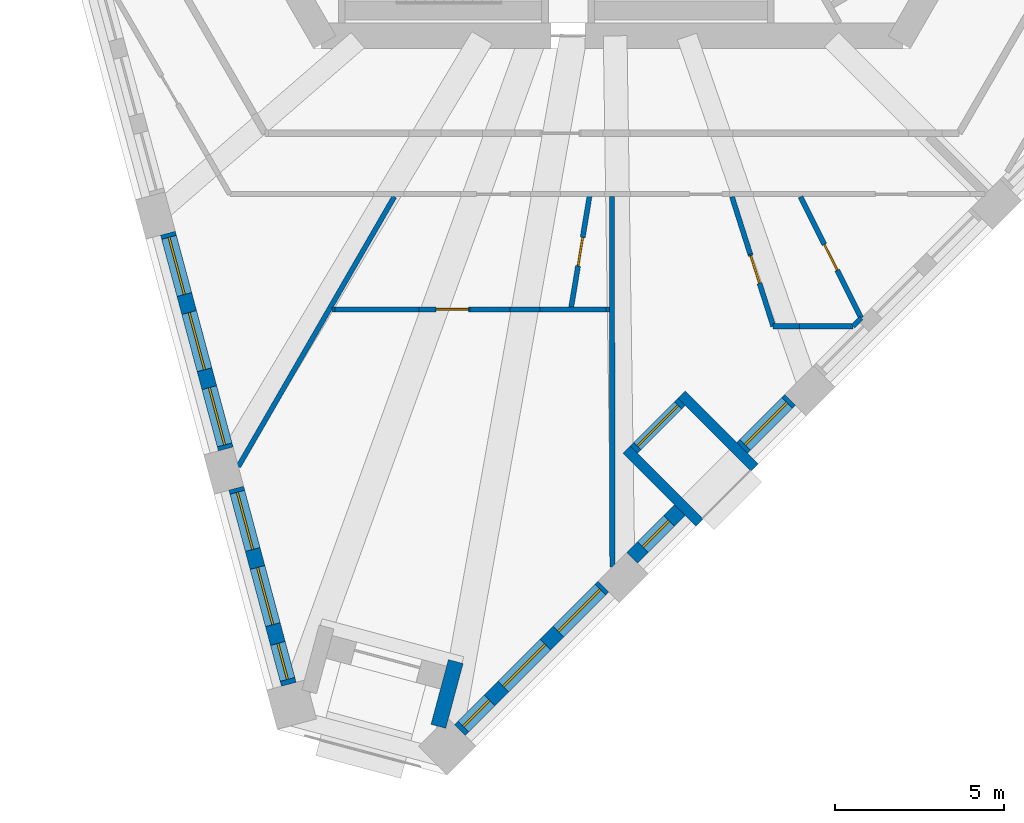
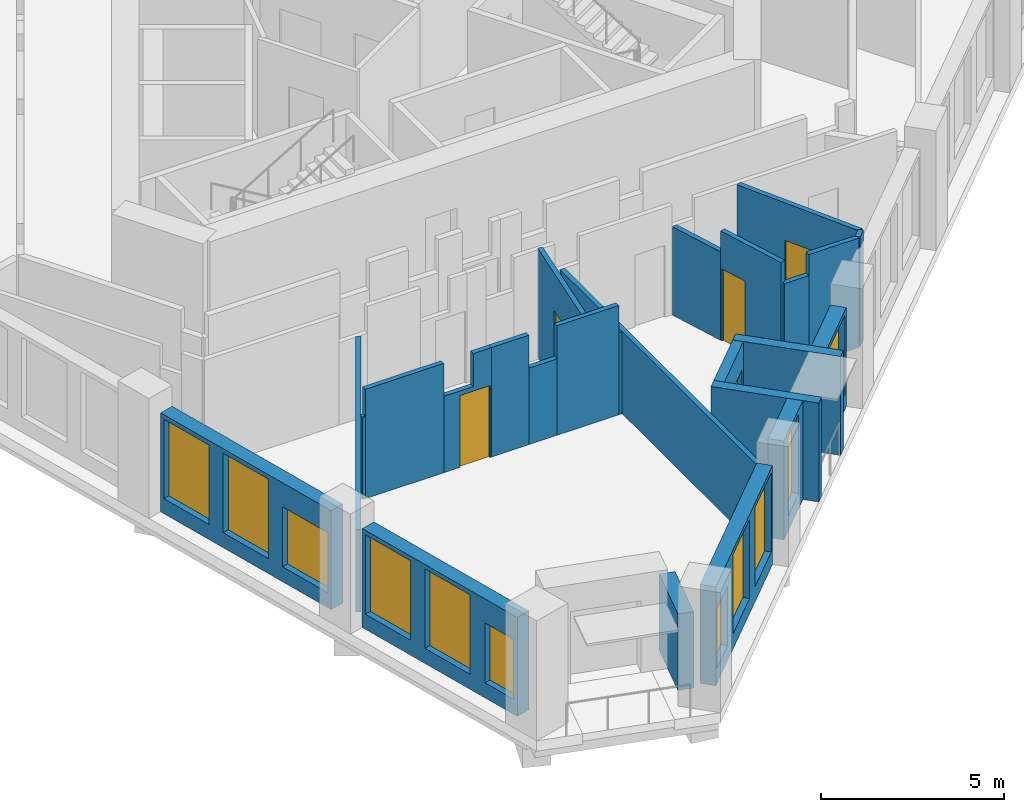
# One storey, part 2 of 13: 25 walls, 11 windows, 5 doors, 16 openings.
"""IFC4 building model written with IfcOpenShell, lengths in metres."""

from ifc_helpers import new_model, si_unit, direction, frame, frame_2d, origin, place, context, subcontext, project, spatial, polyline, rectangle, outline, extrude, material, layer, layer_set, type_object, element, fill, save


model = new_model("IFC4")

# Units and contexts
model_context = context("Model", 3, precision=1e-05, world=origin(), true_north=direction((0.0, 1.0)))
body_context = subcontext(model_context, "Body", "Model", "MODEL_VIEW")
ifc_project = project(units=[si_unit("LENGTHUNIT", "METRE"), si_unit("AREAUNIT", "SQUARE_METRE"), si_unit("VOLUMEUNIT", "CUBIC_METRE"), si_unit("PLANEANGLEUNIT", "RADIAN"), si_unit("MASSUNIT", "GRAM", prefix="KILO")], contexts=[model_context])

# Site, building, storey
site_placement = place(None, origin())
site = spatial("IfcSite", under=ifc_project, at=site_placement, CompositionType="ELEMENT")
building_placement = place(site_placement, origin())
building = spatial("IfcBuilding", under=site, at=building_placement, Name="Tramontana Tower", CompositionType="ELEMENT")
storey_placement = place(building_placement, frame((0.0, 0.0, 204.0)))
storey = spatial("IfcBuildingStorey", under=building, at=storey_placement, Name="L47", CompositionType="ELEMENT", Elevation=204.0)

# Wall, openings, windows
ifc_material_1 = material(Name="Precast concrete 60 MPa", Category="concrete")
ifc_layer_1 = layer(ifc_material_1, 0.449951171875)
ifc_layer_set_1 = layer_set([ifc_layer_1], Name="Precast concrete 60 MPa, 450 mm")
wall_type_1 = type_object("IfcWallType", Name="EW1 Stone-faced precast wall 450", PredefinedType="SOLIDWALL", material=ifc_layer_set_1)
wall_1_placement = place(storey_placement, frame((-13.11328125, -12.2041015625, 0.0), z_axis=(0.0, 0.0, 1.0), x_axis=(0.258835402268, -0.965921443251, 0.0)))
wall_1 = element("IfcWall", 1, at=wall_1_placement, inside=storey, type_object=wall_type_1, Name="External wall L47 face 0 bay 5", PredefinedType="SOLIDWALL", context=body_context, shape_type="SweptSolid", body=[
    extrude(rectangle(XDim=6.593994140625, YDim=0.449951171875, at=frame_2d((3.296875, 0.0))), origin(), (0.0, 0.0, 1.0), 3.300048828125),
])
opening_1_placement = place(wall_1_placement, frame((0.1240234375, 0.0, 0.5)))
opening_1 = element("IfcOpeningElement", 2, at=opening_1_placement, cuts=wall_1, Name="Opening M2", PredefinedType="OPENING", context=body_context, shape_type="SweptSolid", body=[
    extrude(rectangle(XDim=1.75, YDim=2.64990234375, at=frame_2d((0.875, 1.324951171875))), frame((0.0, 0.23486328125, 0.0), z_axis=(0.0, -1.0, 0.0), x_axis=(1.0, 0.0, 0.0)), (0.0, 0.0, 1.0), 0.469970703125),
])
opening_2_placement = place(wall_1_placement, frame((2.422119140625, 0.0, 0.5)))
opening_2 = element("IfcOpeningElement", 3, at=opening_2_placement, cuts=wall_1, Name="Opening M2", PredefinedType="OPENING", context=body_context, shape_type="SweptSolid", body=[
    extrude(rectangle(XDim=1.75, YDim=2.64990234375, at=frame_2d((0.875, 1.324951171875))), frame((0.0, 0.23486328125, 0.0), z_axis=(0.0, -1.0, 0.0), x_axis=(1.0, 0.0, 0.0)), (0.0, 0.0, 1.0), 0.469970703125),
])
opening_3_placement = place(wall_1_placement, frame((4.72021484375, 0.0, 0.5)))
opening_3 = element("IfcOpeningElement", 4, at=opening_3_placement, cuts=wall_1, Name="Opening M2L", PredefinedType="OPENING", context=body_context, shape_type="SweptSolid", body=[
    extrude(rectangle(XDim=1.75, YDim=2.0, at=frame_2d((0.875, 1.0))), frame((0.0, 0.23486328125, 0.0), z_axis=(0.0, -1.0, 0.0), x_axis=(1.0, 0.0, 0.0)), (0.0, 0.0, 1.0), 0.469970703125),
])
ifc_material_2 = material(Name="Aluminum frame, double glazing unit", Category="aluminium")
window_type_1 = type_object("IfcWindowType", Name="M2 Window 1.75 x 2.65", PartitioningType="SINGLE_PANEL", PredefinedType="WINDOW", material=ifc_material_2)
window_1_placement = place(opening_1_placement, origin())
window_1 = element("IfcWindow", 5, at=window_1_placement, inside=storey, type_object=window_type_1, Name="Window M2 L47 face 0 module 13", OverallHeight=2.64990234375, OverallWidth=1.75, PartitioningType="SINGLE_PANEL", PredefinedType="WINDOW", context=body_context, shape_type="SweptSolid", body=[
    extrude(rectangle(XDim=1.75, YDim=2.64990234375, at=frame_2d((0.875, 1.324951171875))), frame((0.0, 0.030029296875, 0.0), z_axis=(0.0, -1.0, 0.0), x_axis=(1.0, 0.0, 0.0)), (0.0, 0.0, 1.0), 0.06005859375),
])
fill(opening_1, window_1)
window_2_placement = place(opening_2_placement, origin())
window_2 = element("IfcWindow", 6, at=window_2_placement, inside=storey, type_object=window_type_1, Name="Window M2 L47 face 0 module 14", OverallHeight=2.64990234375, OverallWidth=1.75, PartitioningType="SINGLE_PANEL", PredefinedType="WINDOW", context=body_context, shape_type="SweptSolid", body=[
    extrude(rectangle(XDim=1.75, YDim=2.64990234375, at=frame_2d((0.875, 1.324951171875))), frame((0.0, 0.030029296875, 0.0), z_axis=(0.0, -1.0, 0.0), x_axis=(1.0, 0.0, 0.0)), (0.0, 0.0, 1.0), 0.06005859375),
])
fill(opening_2, window_2)
ifc_material_3 = material(Name="Aluminum frame, double glazing unit", Category="aluminium")
window_type_2 = type_object("IfcWindowType", Name="M2L Window 1.75 x 2", PartitioningType="SINGLE_PANEL", PredefinedType="WINDOW", material=ifc_material_3)
window_3_placement = place(opening_3_placement, origin())
window_3 = element("IfcWindow", 7, at=window_3_placement, inside=storey, type_object=window_type_2, Name="Window M2L L47 face 0 module 15", OverallHeight=2.0, OverallWidth=1.75, PartitioningType="SINGLE_PANEL", PredefinedType="WINDOW", context=body_context, shape_type="SweptSolid", body=[
    extrude(rectangle(XDim=1.75, YDim=2.0, at=frame_2d((0.875, 1.0))), frame((0.0, 0.030029296875, 0.0), z_axis=(0.0, -1.0, 0.0), x_axis=(1.0, 0.0, 0.0)), (0.0, 0.0, 1.0), 0.06005859375),
])
fill(opening_3, window_3)

wall_2_placement = place(storey_placement, frame((-11.095947265625, -19.732666015625, 0.0), z_axis=(0.0, 0.0, 1.0), x_axis=(0.258831089404, -0.965922598948, 0.0)))
wall_2 = element("IfcWall", 8, at=wall_2_placement, inside=storey, type_object=wall_type_1, Name="External wall L47 face 0 bay 6", PredefinedType="SOLIDWALL", context=body_context, shape_type="SweptSolid", body=[
    extrude(rectangle(XDim=5.994384765625, YDim=0.449951171875, at=frame_2d((2.9970703125, 0.0))), origin(), (0.0, 0.0, 1.0), 3.300048828125),
])
opening_4_placement = place(wall_2_placement, frame((0.1240234375, 0.0, 0.5)))
opening_4 = element("IfcOpeningElement", 9, at=opening_4_placement, cuts=wall_2, Name="Opening M2", PredefinedType="OPENING", context=body_context, shape_type="SweptSolid", body=[
    extrude(rectangle(XDim=1.75, YDim=2.64990234375, at=frame_2d((0.875, 1.324951171875))), frame((0.0, 0.23486328125, 0.0), z_axis=(0.0, -1.0, 0.0), x_axis=(1.0, 0.0, 0.0)), (0.0, 0.0, 1.0), 0.469970703125),
])
opening_5_placement = place(wall_2_placement, frame((2.422119140625, 0.0, 0.5)))
opening_5 = element("IfcOpeningElement", 10, at=opening_5_placement, cuts=wall_2, Name="Opening M2", PredefinedType="OPENING", context=body_context, shape_type="SweptSolid", body=[
    extrude(rectangle(XDim=1.75, YDim=2.64990234375, at=frame_2d((0.875, 1.324951171875))), frame((0.0, 0.23486328125, 0.0), z_axis=(0.0, -1.0, 0.0), x_axis=(1.0, 0.0, 0.0)), (0.0, 0.0, 1.0), 0.469970703125),
])
opening_6_placement = place(wall_2_placement, frame((4.7451171875, 0.0, 0.5)))
opening_6 = element("IfcOpeningElement", 11, at=opening_6_placement, cuts=wall_2, Name="Opening N2L", PredefinedType="OPENING", context=body_context, shape_type="SweptSolid", body=[
    extrude(rectangle(XDim=1.10009765625, YDim=2.0, at=frame_2d((0.550048828125, 1.0))), frame((0.0, 0.23486328125, 0.0), z_axis=(0.0, -1.0, 0.0), x_axis=(1.0, 0.0, 0.0)), (0.0, 0.0, 1.0), 0.469970703125),
])
window_4_placement = place(opening_4_placement, origin())
window_4 = element("IfcWindow", 12, at=window_4_placement, inside=storey, type_object=window_type_1, Name="Window M2 L47 face 0 module 16", OverallHeight=2.64990234375, OverallWidth=1.75, PartitioningType="SINGLE_PANEL", PredefinedType="WINDOW", context=body_context, shape_type="SweptSolid", body=[
    extrude(rectangle(XDim=1.75, YDim=2.64990234375, at=frame_2d((0.875, 1.324951171875))), frame((0.0, 0.030029296875, 0.0), z_axis=(0.0, -1.0, 0.0), x_axis=(1.0, 0.0, 0.0)), (0.0, 0.0, 1.0), 0.06005859375),
])
fill(opening_4, window_4)
window_5_placement = place(opening_5_placement, origin())
window_5 = element("IfcWindow", 13, at=window_5_placement, inside=storey, type_object=window_type_1, Name="Window M2 L47 face 0 module 17", OverallHeight=2.64990234375, OverallWidth=1.75, PartitioningType="SINGLE_PANEL", PredefinedType="WINDOW", context=body_context, shape_type="SweptSolid", body=[
    extrude(rectangle(XDim=1.75, YDim=2.64990234375, at=frame_2d((0.875, 1.324951171875))), frame((0.0, 0.030029296875, 0.0), z_axis=(0.0, -1.0, 0.0), x_axis=(1.0, 0.0, 0.0)), (0.0, 0.0, 1.0), 0.06005859375),
])
fill(opening_5, window_5)
ifc_material_4 = material(Name="Aluminum frame, double glazing unit", Category="aluminium")
window_type_3 = type_object("IfcWindowType", Name="N2L Window 1.1 x 2", PartitioningType="SINGLE_PANEL", PredefinedType="WINDOW", material=ifc_material_4)
window_6_placement = place(opening_6_placement, origin())
window_6 = element("IfcWindow", 14, at=window_6_placement, inside=storey, type_object=window_type_3, Name="Window N2L L47 face 0 module 18", OverallHeight=2.0, OverallWidth=1.10009765625, PartitioningType="SINGLE_PANEL", PredefinedType="WINDOW", context=body_context, shape_type="SweptSolid", body=[
    extrude(rectangle(XDim=1.10009765625, YDim=2.0, at=frame_2d((0.550048828125, 1.0))), frame((0.0, 0.030029296875, 0.0), z_axis=(0.0, -1.0, 0.0), x_axis=(1.0, 0.0, 0.0)), (0.0, 0.0, 1.0), 0.06005859375),
])
fill(opening_6, window_6)

wall_3_placement = place(storey_placement, frame((-4.49560546875, -26.87548828125, 0.0), z_axis=(0.0, 0.0, 1.0), x_axis=(0.707106781187, 0.707106781187, 0.0)))
wall_3 = element("IfcWall", 15, at=wall_3_placement, inside=storey, type_object=wall_type_1, Name="External wall L47 face 1 bay 1", PredefinedType="SOLIDWALL", context=body_context, shape_type="SweptSolid", body=[
    extrude(rectangle(XDim=5.994140625, YDim=0.449951171875, at=frame_2d((2.9970703125, 0.0))), origin(), (0.0, 0.0, 1.0), 3.300048828125),
])
opening_7_placement = place(wall_3_placement, frame((0.14892578125, 0.0, 0.5)))
opening_7 = element("IfcOpeningElement", 16, at=opening_7_placement, cuts=wall_3, Name="Opening N2L", PredefinedType="OPENING", context=body_context, shape_type="SweptSolid", body=[
    extrude(rectangle(XDim=1.10009765625, YDim=2.0, at=frame_2d((0.550048828125, 1.0))), frame((0.0, 0.23486328125, 0.0), z_axis=(0.0, -1.0, 0.0), x_axis=(1.0, 0.0, 0.0)), (0.0, 0.0, 1.0), 0.469970703125),
])
opening_8_placement = place(wall_3_placement, frame((1.822021484375, 0.0, 0.5)))
opening_8 = element("IfcOpeningElement", 17, at=opening_8_placement, cuts=wall_3, Name="Opening M2", PredefinedType="OPENING", context=body_context, shape_type="SweptSolid", body=[
    extrude(rectangle(XDim=1.75, YDim=2.64990234375, at=frame_2d((0.875, 1.324951171875))), frame((0.0, 0.23486328125, 0.0), z_axis=(0.0, -1.0, 0.0), x_axis=(1.0, 0.0, 0.0)), (0.0, 0.0, 1.0), 0.469970703125),
])
opening_9_placement = place(wall_3_placement, frame((4.1201171875, 0.0, 0.5)))
opening_9 = element("IfcOpeningElement", 18, at=opening_9_placement, cuts=wall_3, Name="Opening M2", PredefinedType="OPENING", context=body_context, shape_type="SweptSolid", body=[
    extrude(rectangle(XDim=1.75, YDim=2.64990234375, at=frame_2d((0.875, 1.324951171875))), frame((0.0, 0.23486328125, 0.0), z_axis=(0.0, -1.0, 0.0), x_axis=(1.0, 0.0, 0.0)), (0.0, 0.0, 1.0), 0.469970703125),
])
window_7_placement = place(opening_8_placement, origin())
window_7 = element("IfcWindow", 19, at=window_7_placement, inside=storey, type_object=window_type_1, Name="Window M2 L47 face 1 module 2", OverallHeight=2.64990234375, OverallWidth=1.75, PartitioningType="SINGLE_PANEL", PredefinedType="WINDOW", context=body_context, shape_type="SweptSolid", body=[
    extrude(rectangle(XDim=1.75, YDim=2.64990234375, at=frame_2d((0.875, 1.324951171875))), frame((0.0, 0.030029296875, 0.0), z_axis=(0.0, -1.0, 0.0), x_axis=(1.0, 0.0, 0.0)), (0.0, 0.0, 1.0), 0.06005859375),
])
fill(opening_8, window_7)
window_8_placement = place(opening_9_placement, origin())
window_8 = element("IfcWindow", 20, at=window_8_placement, inside=storey, type_object=window_type_1, Name="Window M2 L47 face 1 module 3", OverallHeight=2.64990234375, OverallWidth=1.75, PartitioningType="SINGLE_PANEL", PredefinedType="WINDOW", context=body_context, shape_type="SweptSolid", body=[
    extrude(rectangle(XDim=1.75, YDim=2.64990234375, at=frame_2d((0.875, 1.324951171875))), frame((0.0, 0.030029296875, 0.0), z_axis=(0.0, -1.0, 0.0), x_axis=(1.0, 0.0, 0.0)), (0.0, 0.0, 1.0), 0.06005859375),
])
fill(opening_9, window_8)
window_9_placement = place(opening_7_placement, origin())
window_9 = element("IfcWindow", 21, at=window_9_placement, inside=storey, type_object=window_type_3, Name="Window N2L L47 face 1 module 1", OverallHeight=2.0, OverallWidth=1.10009765625, PartitioningType="SINGLE_PANEL", PredefinedType="WINDOW", context=body_context, shape_type="SweptSolid", body=[
    extrude(rectangle(XDim=1.10009765625, YDim=2.0, at=frame_2d((0.550048828125, 1.0))), frame((0.0, 0.030029296875, 0.0), z_axis=(0.0, -1.0, 0.0), x_axis=(1.0, 0.0, 0.0)), (0.0, 0.0, 1.0), 0.06005859375),
])
fill(opening_7, window_9)

# Wall, opening, window
wall_4_placement = place(storey_placement, frame((0.591552734375, -21.788330078125, 0.0), z_axis=(0.0, 0.0, 1.0), x_axis=(0.707106781187, 0.707106781187, 0.0)))
wall_4 = element("IfcWall", 22, at=wall_4_placement, inside=storey, type_object=wall_type_1, Name="External wall L47 face 1 bay 2", PredefinedType="SOLIDWALL", context=body_context, shape_type="SweptSolid", body=[
    extrude(rectangle(XDim=1.998046875, YDim=0.449951171875, at=frame_2d((0.9990234375, 0.0))), origin(), (0.0, 0.0, 1.0), 3.300048828125),
])
opening_10_placement = place(wall_4_placement, frame((0.448974609375, 0.0, 0.5)))
opening_10 = element("IfcOpeningElement", 23, at=opening_10_placement, cuts=wall_4, Name="Opening N2", PredefinedType="OPENING", context=body_context, shape_type="SweptSolid", body=[
    extrude(rectangle(XDim=1.10009765625, YDim=2.64990234375, at=frame_2d((0.550048828125, 1.324951171875))), frame((0.0, 0.23486328125, 0.0), z_axis=(0.0, -1.0, 0.0), x_axis=(1.0, 0.0, 0.0)), (0.0, 0.0, 1.0), 0.469970703125),
])
ifc_material_5 = material(Name="Aluminum frame, double glazing unit", Category="aluminium")
window_type_4 = type_object("IfcWindowType", Name="N2 Window 1.1 x 2.65", PartitioningType="SINGLE_PANEL", PredefinedType="WINDOW", material=ifc_material_5)
window_10_placement = place(opening_10_placement, origin())
window_10 = element("IfcWindow", 24, at=window_10_placement, inside=storey, type_object=window_type_4, Name="Window N2 L47 face 1 module 4", OverallHeight=2.64990234375, OverallWidth=1.10009765625, PartitioningType="SINGLE_PANEL", PredefinedType="WINDOW", context=body_context, shape_type="SweptSolid", body=[
    extrude(rectangle(XDim=1.10009765625, YDim=2.64990234375, at=frame_2d((0.550048828125, 1.324951171875))), frame((0.0, 0.030029296875, 0.0), z_axis=(0.0, -1.0, 0.0), x_axis=(1.0, 0.0, 0.0)), (0.0, 0.0, 1.0), 0.06005859375),
])
fill(opening_10, window_10)

wall_5_placement = place(storey_placement, frame((3.841552734375, -18.538330078125, 0.0), z_axis=(0.0, 0.0, 1.0), x_axis=(0.707106781187, 0.707106781187, 0.0)))
wall_5 = element("IfcWall", 25, at=wall_5_placement, inside=storey, type_object=wall_type_1, Name="External wall L47 face 1 bay 2", PredefinedType="SOLIDWALL", context=body_context, shape_type="SweptSolid", body=[
    extrude(rectangle(XDim=1.998046875, YDim=0.449951171875, at=frame_2d((0.9990234375, 0.0))), origin(), (0.0, 0.0, 1.0), 3.300048828125),
])
opening_11_placement = place(wall_5_placement, frame((0.1240234375, 0.0, 0.5)))
opening_11 = element("IfcOpeningElement", 26, at=opening_11_placement, cuts=wall_5, Name="Opening M2", PredefinedType="OPENING", context=body_context, shape_type="SweptSolid", body=[
    extrude(rectangle(XDim=1.75, YDim=2.64990234375, at=frame_2d((0.875, 1.324951171875))), frame((0.0, 0.23486328125, 0.0), z_axis=(0.0, -1.0, 0.0), x_axis=(1.0, 0.0, 0.0)), (0.0, 0.0, 1.0), 0.469970703125),
])
window_11_placement = place(opening_11_placement, origin())
window_11 = element("IfcWindow", 27, at=window_11_placement, inside=storey, type_object=window_type_1, Name="Window M2 L47 face 1 module 6", OverallHeight=2.64990234375, OverallWidth=1.75, PartitioningType="SINGLE_PANEL", PredefinedType="WINDOW", context=body_context, shape_type="SweptSolid", body=[
    extrude(rectangle(XDim=1.75, YDim=2.64990234375, at=frame_2d((0.875, 1.324951171875))), frame((0.0, 0.030029296875, 0.0), z_axis=(0.0, -1.0, 0.0), x_axis=(1.0, 0.0, 0.0)), (0.0, 0.0, 1.0), 0.06005859375),
])
fill(opening_11, window_11)

# Wall
wall_6_placement = place(storey_placement, frame((-5.126708984375, -26.76416015625, 0.0), z_axis=(0.0, 0.0, 1.0), x_axis=(0.258814190615, 0.965927127032, 0.0)))
element("IfcWall", 28, at=wall_6_placement, inside=storey, type_object=wall_type_1, Name="Corner loggia side wall L47 K51l", PredefinedType="SOLIDWALL", context=body_context, shape_type="SweptSolid", body=[
    extrude(rectangle(XDim=1.97900390625, YDim=0.449951171875, at=frame_2d((0.989501953125, 0.0))), origin(), (0.0, 0.0, 1.0), 2.550048828125),
])

# Wall, opening, door
ifc_material_6 = material(Name="Precast concrete 60 MPa", Category="concrete")
ifc_layer_2 = layer(ifc_material_6, 0.300048828125)
ifc_layer_set_2 = layer_set([ifc_layer_2], Name="LW1 Stone-faced loggia wall 300")
wall_type_2 = type_object("IfcWallType", Name="LW1 Stone-faced loggia wall 300", PredefinedType="SOLIDWALL", material=ifc_layer_set_2)
wall_7_placement = place(storey_placement, frame((0.643310546875, -18.590087890625, 0.0), z_axis=(0.0, 0.0, 1.0), x_axis=(0.707106781187, 0.707106781187, 0.0)))
wall_7 = element("IfcWall", 29, at=wall_7_placement, inside=storey, type_object=wall_type_2, Name="Loggia wall L47 G5S1.4", PredefinedType="SOLIDWALL", context=body_context, shape_type="SweptSolid", body=[
    extrude(rectangle(XDim=1.998046875, YDim=0.300048828125, at=frame_2d((0.9990234375, 0.0))), origin(), (0.0, 0.0, 1.0), 3.300048828125),
])
opening_12_placement = place(wall_7_placement, frame((0.14892578125, 0.0, 0.0)))
opening_12 = element("IfcOpeningElement", 30, at=opening_12_placement, cuts=wall_7, Name="Opening BD-5S1-04", PredefinedType="OPENING", context=body_context, shape_type="SweptSolid", body=[
    extrude(rectangle(XDim=1.699951171875, YDim=2.449951171875, at=frame_2d((0.85009765625, 1.22509765625))), frame((0.0, 0.159912109375, 0.0), z_axis=(0.0, -1.0, 0.0), x_axis=(1.0, 0.0, 0.0)), (0.0, 0.0, 1.0), 0.320068359375),
])
ifc_material_7 = material(Name="Aluminum frame, double glazing unit", Category="aluminium")
door_type_1 = type_object("IfcDoorType", Name="BD2 Sliding door 1.7 x 2.45", OperationType="SLIDING_TO_LEFT", PredefinedType="DOOR", material=ifc_material_7)
door_1_placement = place(opening_12_placement, origin())
door_1 = element("IfcDoor", 31, at=door_1_placement, inside=storey, type_object=door_type_1, Name="Loggia door L47 G5S1.4", OperationType="SLIDING_TO_LEFT", OverallHeight=2.449951171875, OverallWidth=1.699951171875, PredefinedType="DOOR", context=body_context, shape_type="SweptSolid", body=[
    extrude(rectangle(XDim=1.699951171875, YDim=2.449951171875, at=frame_2d((0.85009765625, 1.22509765625))), frame((0.0, 0.02490234375, 0.0), z_axis=(0.0, -1.0, 0.0), x_axis=(1.0, 0.0, 0.0)), (0.0, 0.0, 1.0), 0.050048828125),
])
fill(opening_12, door_1)

# Walls
for number, where, z_axis, x_axis, name in (
    (32, (2.587646484375, -20.746826171875, 0.0), (0.0, 0.0, 1.0), (-0.707066755897, 0.707146804211, 0.0), "Loggia return L47 G5S1.4a"),
    (33, (4.212646484375, -19.121826171875, 0.0), (0.0, 0.0, 1.0), (-0.707066755897, 0.707146804211, 0.0), "Loggia return L47 G5S1.4b"),
):
    element("IfcWall", number, at=place(storey_placement, frame(where, z_axis=z_axis, x_axis=x_axis)), inside=storey, type_object=wall_type_2, Name=name, PredefinedType="SOLIDWALL", context=body_context, shape_type="SweptSolid", body=[
        extrude(rectangle(XDim=3.0498046875, YDim=0.300048828125, at=frame_2d((1.52490234375, 0.0))), origin(), (0.0, 0.0, 1.0), 3.300048828125),
    ])
ifc_material_8 = material(Name="Gypsum board partition")
ifc_layer_3 = layer(ifc_material_8, 0.14990234375)
ifc_layer_set_3 = layer_set([ifc_layer_3], Name="PARTITION 150")
wall_type_3 = type_object("IfcWallType", Name="PARTITION 150", PredefinedType="PARTITIONING", material=ifc_layer_set_3)
wall_8_placement = place(storey_placement, frame((-11.033935546875, -19.0947265625, 0.0), z_axis=(0.0, 0.0, 1.0), x_axis=(0.500337694151, 0.86583034817, 0.0)))
element("IfcWall", 34, at=wall_8_placement, inside=storey, type_object=wall_type_3, Name="Wall v50-pw04-0", PredefinedType="PARTITIONING", context=body_context, shape_type="SweptSolid", body=[
    extrude(rectangle(XDim=9.204833984375, YDim=0.14990234375, at=frame_2d((4.6025390625, 0.0))), origin(), (0.0, 0.0, 1.0), 2.75),
])

# Wall, opening, door
wall_9_placement = place(storey_placement, frame((-0.6552734375, -11.052001953125, 0.0), z_axis=(0.0, 0.0, 1.0), x_axis=(-0.162305002106, -0.986740637803, 0.0)))
wall_9 = element("IfcWall", 35, at=wall_9_placement, inside=storey, type_object=wall_type_3, Name="Wall v50-pw09", PredefinedType="PARTITIONING", context=body_context, shape_type="SweptSolid", body=[
    extrude(rectangle(XDim=3.441650390625, YDim=0.14990234375, at=frame_2d((1.720703125, 0.0))), origin(), (0.0, 0.0, 1.0), 3.64990234375),
])
opening_13_placement = place(wall_9_placement, frame((1.295654296875, 0.0, 0.0)))
opening_13 = element("IfcOpeningElement", 36, at=opening_13_placement, cuts=wall_9, Name="Opening B5A-20", PredefinedType="OPENING", context=body_context, shape_type="SweptSolid", body=[
    extrude(rectangle(XDim=0.85009765625, YDim=2.39990234375, at=frame_2d((0.425048828125, 1.199951171875))), frame((0.0, 0.0849609375, 0.0), z_axis=(0.0, -1.0, 0.0), x_axis=(1.0, 0.0, 0.0)), (0.0, 0.0, 1.0), 0.169921875),
])
ifc_material_9 = material(Name="Painted timber", Category="wood")
door_type_2 = type_object("IfcDoorType", Name="DOOR BATH 850", OperationType="SINGLE_SWING_LEFT", PredefinedType="DOOR", material=ifc_material_9)
door_2_placement = place(opening_13_placement, origin())
door_2 = element("IfcDoor", 37, at=door_2_placement, inside=storey, type_object=door_type_2, Name="Door B5A-20", OperationType="SINGLE_SWING_RIGHT", OverallHeight=2.39990234375, OverallWidth=0.85009765625, PredefinedType="DOOR", context=body_context, shape_type="SweptSolid", body=[
    extrude(rectangle(XDim=0.85009765625, YDim=2.39990234375, at=frame_2d((0.425048828125, 1.199951171875))), frame((0.0, 0.02490234375, 0.0), z_axis=(0.0, -1.0, 0.0), x_axis=(1.0, 0.0, 0.0)), (0.0, 0.0, 1.0), 0.050048828125),
])
fill(opening_13, door_2)

# Walls
wall_10_placement = place(storey_placement, frame((0.004150390625, -11.125, 0.0), z_axis=(0.0, 0.0, 1.0), x_axis=(0.00035743804, -0.999999936119, 0.0)))
element("IfcWall", 38, at=wall_10_placement, inside=storey, type_object=wall_type_3, Name="Wall v50-pw10-0", PredefinedType="PARTITIONING", context=body_context, shape_type="SweptSolid", body=[
    extrude(rectangle(XDim=10.928466796875, YDim=0.14990234375, at=frame_2d((5.46435546875, 0.0))), origin(), (0.0, 0.0, 1.0), 2.75),
])
wall_11_placement = place(storey_placement, frame((-0.069580078125, -14.449951171875, 0.0), z_axis=(0.0, 0.0, 1.0), x_axis=(-1.0, 0.0, 0.0)))
element("IfcWall", 39, at=wall_11_placement, inside=storey, type_object=wall_type_3, Name="Wall v50-pw11-0", PredefinedType="PARTITIONING", context=body_context, shape_type="SweptSolid", body=[
    extrude(rectangle(XDim=0.107177734375, YDim=0.14990234375, at=frame_2d((0.0537109375, 0.0))), origin(), (0.0, 0.0, 1.0), 2.75),
])
wall_12_placement = place(storey_placement, frame((-0.1767578125, -14.449951171875, 0.0), z_axis=(0.0, 0.0, 1.0), x_axis=(-1.0, 0.0, 0.0)))
element("IfcWall", 40, at=wall_12_placement, inside=storey, type_object=wall_type_3, Name="Wall v50-pw11-1", PredefinedType="PARTITIONING", context=body_context, shape_type="SweptSolid", body=[
    extrude(rectangle(XDim=1.949951171875, YDim=0.14990234375, at=frame_2d((0.97509765625, 0.0))), origin(), (0.0, 0.0, 1.0), 3.64990234375),
])
wall_13_placement = place(storey_placement, frame((-2.126708984375, -14.449951171875, 0.0), z_axis=(0.0, 0.0, 1.0), x_axis=(-1.0, 0.0, 0.0)))
element("IfcWall", 41, at=wall_13_placement, inside=storey, type_object=wall_type_3, Name="Wall v50-pw11-2", PredefinedType="PARTITIONING", context=body_context, shape_type="SweptSolid", body=[
    extrude(rectangle(XDim=0.888671875, YDim=0.14990234375, at=frame_2d((0.4443359375, 0.0))), origin(), (0.0, 0.0, 1.0), 2.550048828125),
])
wall_14_placement = place(storey_placement, frame((-3.015380859375, -14.449951171875, 0.0), z_axis=(0.0, 0.0, 1.0), x_axis=(-1.0, 0.0, 0.0)))
element("IfcWall", 42, at=wall_14_placement, inside=storey, type_object=wall_type_3, Name="Wall v50-pw11-3", PredefinedType="PARTITIONING", context=body_context, shape_type="SweptSolid", body=[
    extrude(rectangle(XDim=1.177978515625, YDim=0.14990234375, at=frame_2d((0.5888671875, 0.0))), origin(), (0.0, 0.0, 1.0), 3.64990234375),
])

# Wall, opening, door
wall_15_placement = place(storey_placement, frame((-4.193359375, -14.449951171875, 0.0), z_axis=(0.0, 0.0, 1.0), x_axis=(-1.0, 0.0, 0.0)))
wall_15 = element("IfcWall", 43, at=wall_15_placement, inside=storey, type_object=wall_type_3, Name="Wall v50-pw11-4", PredefinedType="PARTITIONING", context=body_context, shape_type="SweptSolid", body=[
    extrude(outline(polyline([(0.0, 0.0), (1.505859375, 0.0), (1.505859375, 2.550048828125), (0.5751953125, 2.550048828125), (0.5751953125, 3.64990234375), (0.0, 3.64990234375), (0.0, 0.0)])), frame((0.0, 0.074951171875, 0.0), z_axis=(0.0, -1.0, 0.0), x_axis=(1.0, 0.0, 0.0)), (0.0, 0.0, 1.0), 0.14990234375),
])
opening_14_placement = place(wall_15_placement, frame((0.050048828125, 0.0, 0.0)))
opening_14 = element("IfcOpeningElement", 44, at=opening_14_placement, cuts=wall_15, Name="Opening B5A-18", PredefinedType="OPENING", context=body_context, shape_type="SweptSolid", body=[
    extrude(rectangle(XDim=0.949951171875, YDim=2.39990234375, at=frame_2d((0.47509765625, 1.199951171875))), frame((0.0, 0.0849609375, 0.0), z_axis=(0.0, -1.0, 0.0), x_axis=(1.0, 0.0, 0.0)), (0.0, 0.0, 1.0), 0.169921875),
])
ifc_material_10 = material(Name="Painted timber", Category="wood")
door_type_3 = type_object("IfcDoorType", Name="DOOR ROOM 950", OperationType="SINGLE_SWING_LEFT", PredefinedType="DOOR", material=ifc_material_10)
door_3_placement = place(opening_14_placement, origin())
door_3 = element("IfcDoor", 45, at=door_3_placement, inside=storey, type_object=door_type_3, Name="Door B5A-18", OperationType="SINGLE_SWING_RIGHT", OverallHeight=2.39990234375, OverallWidth=0.949951171875, PredefinedType="DOOR", context=body_context, shape_type="SweptSolid", body=[
    extrude(rectangle(XDim=0.949951171875, YDim=2.39990234375, at=frame_2d((0.47509765625, 1.199951171875))), frame((0.0, 0.02490234375, 0.0), z_axis=(0.0, -1.0, 0.0), x_axis=(1.0, 0.0, 0.0)), (0.0, 0.0, 1.0), 0.050048828125),
])
fill(opening_14, door_3)

# Walls
wall_16_placement = place(storey_placement, frame((-5.69921875, -14.449951171875, 0.0), z_axis=(0.0, 0.0, 1.0), x_axis=(-1.0, 0.0, 0.0)))
element("IfcWall", 46, at=wall_16_placement, inside=storey, type_object=wall_type_3, Name="Wall v50-pw11-5", PredefinedType="PARTITIONING", context=body_context, shape_type="SweptSolid", body=[
    extrude(rectangle(XDim=2.4755859375, YDim=0.14990234375, at=frame_2d((1.23779296875, 0.0))), origin(), (0.0, 0.0, 1.0), 3.64990234375),
])
wall_17_placement = place(storey_placement, frame((-8.1748046875, -14.449951171875, 0.0), z_axis=(0.0, 0.0, 1.0), x_axis=(-1.0, 0.0, 0.0)))
element("IfcWall", 47, at=wall_17_placement, inside=storey, type_object=wall_type_3, Name="Wall v50-pw11-6", PredefinedType="PARTITIONING", context=body_context, shape_type="SweptSolid", body=[
    extrude(rectangle(XDim=0.08837890625, YDim=0.14990234375, at=frame_2d((0.044189453125, 0.0))), origin(), (0.0, 0.0, 1.0), 2.75),
])

# Wall, opening, door
wall_18_placement = place(storey_placement, frame((4.0810546875, -12.818115234375, 0.0), z_axis=(0.0, 0.0, 1.0), x_axis=(0.303365803951, -0.952874172697, 0.0)))
wall_18 = element("IfcWall", 48, at=wall_18_placement, inside=storey, type_object=wall_type_3, Name="Wall v50-pw14-0", PredefinedType="PARTITIONING", context=body_context, shape_type="SweptSolid", body=[
    extrude(rectangle(XDim=2.2373046875, YDim=0.14990234375, at=frame_2d((1.11865234375, 0.0))), origin(), (0.0, 0.0, 1.0), 3.64990234375),
])
opening_15_placement = place(wall_18_placement, frame((0.05517578125, 0.0, 0.0)))
opening_15 = element("IfcOpeningElement", 49, at=opening_15_placement, cuts=wall_18, Name="Opening B5A-09", PredefinedType="OPENING", context=body_context, shape_type="SweptSolid", body=[
    extrude(rectangle(XDim=0.85009765625, YDim=2.39990234375, at=frame_2d((0.425048828125, 1.199951171875))), frame((0.0, 0.0849609375, 0.0), z_axis=(0.0, -1.0, 0.0), x_axis=(1.0, 0.0, 0.0)), (0.0, 0.0, 1.0), 0.169921875),
])
door_4_placement = place(opening_15_placement, origin())
door_4 = element("IfcDoor", 50, at=door_4_placement, inside=storey, type_object=door_type_2, Name="Door B5A-09", OperationType="SINGLE_SWING_LEFT", OverallHeight=2.39990234375, OverallWidth=0.85009765625, PredefinedType="DOOR", context=body_context, shape_type="SweptSolid", body=[
    extrude(rectangle(XDim=0.85009765625, YDim=2.39990234375, at=frame_2d((0.425048828125, 1.199951171875))), frame((0.0, 0.02490234375, 0.0), z_axis=(0.0, -1.0, 0.0), x_axis=(1.0, 0.0, 0.0)), (0.0, 0.0, 1.0), 0.050048828125),
])
fill(opening_15, door_4)

# Wall
wall_19_placement = place(storey_placement, frame((4.0810546875, -12.818115234375, 0.0), z_axis=(0.0, 0.0, 1.0), x_axis=(-0.3033794624, 0.95286982416, 0.0)))
element("IfcWall", 51, at=wall_19_placement, inside=storey, type_object=wall_type_3, Name="Wall v50-pw14-1", PredefinedType="PARTITIONING", context=body_context, shape_type="SweptSolid", body=[
    extrude(rectangle(XDim=1.77685546875, YDim=0.14990234375, at=frame_2d((0.888427734375, 0.0))), origin(), (0.0, 0.0, 1.0), 2.949951171875),
])

# Wall, opening, door
wall_20_placement = place(storey_placement, frame((7.356689453125, -14.705078125, 0.0), z_axis=(0.0, 0.0, 1.0), x_axis=(-0.447408746794, 0.894329588738, 0.0)))
wall_20 = element("IfcWall", 52, at=wall_20_placement, inside=storey, type_object=wall_type_3, Name="Wall v50-pw15", PredefinedType="PARTITIONING", context=body_context, shape_type="SweptSolid", body=[
    extrude(rectangle(XDim=4.003173828125, YDim=0.14990234375, at=frame_2d((2.00146484375, 0.0))), origin(), (0.0, 0.0, 1.0), 3.64990234375),
])
opening_16_placement = place(wall_20_placement, frame((1.57666015625, 0.0, 0.0)))
opening_16 = element("IfcOpeningElement", 53, at=opening_16_placement, cuts=wall_20, Name="Opening B5A-10", PredefinedType="OPENING", context=body_context, shape_type="SweptSolid", body=[
    extrude(rectangle(XDim=0.85009765625, YDim=2.39990234375, at=frame_2d((0.425048828125, 1.199951171875))), frame((0.0, 0.0849609375, 0.0), z_axis=(0.0, -1.0, 0.0), x_axis=(1.0, 0.0, 0.0)), (0.0, 0.0, 1.0), 0.169921875),
])
door_5_placement = place(opening_16_placement, origin())
door_5 = element("IfcDoor", 54, at=door_5_placement, inside=storey, type_object=door_type_2, Name="Door B5A-10", OperationType="SINGLE_SWING_RIGHT", OverallHeight=2.39990234375, OverallWidth=0.85009765625, PredefinedType="DOOR", context=body_context, shape_type="SweptSolid", body=[
    extrude(rectangle(XDim=0.85009765625, YDim=2.39990234375, at=frame_2d((0.425048828125, 1.199951171875))), frame((0.0, 0.02490234375, 0.0), z_axis=(0.0, -1.0, 0.0), x_axis=(1.0, 0.0, 0.0)), (0.0, 0.0, 1.0), 0.050048828125),
])
fill(opening_16, door_5)

# Walls
wall_21_placement = place(storey_placement, frame((7.11181640625, -14.949951171875, 0.0), z_axis=(0.0, 0.0, 1.0), x_axis=(-1.0, 0.0, 0.0)))
element("IfcWall", 55, at=wall_21_placement, inside=storey, type_object=wall_type_3, Name="Wall v50-pw17-0", PredefinedType="PARTITIONING", context=body_context, shape_type="SweptSolid", body=[
    extrude(rectangle(XDim=1.578369140625, YDim=0.14990234375, at=frame_2d((0.7890625, 0.0))), origin(), (0.0, 0.0, 1.0), 3.64990234375),
])
wall_22_placement = place(storey_placement, frame((5.533447265625, -14.949951171875, 0.0), z_axis=(0.0, 0.0, 1.0), x_axis=(-1.0, 0.0, 0.0)))
element("IfcWall", 56, at=wall_22_placement, inside=storey, type_object=wall_type_3, Name="Wall v50-pw17-1", PredefinedType="PARTITIONING", context=body_context, shape_type="SweptSolid", body=[
    extrude(rectangle(XDim=0.773681640625, YDim=0.14990234375, at=frame_2d((0.38671875, 0.0))), origin(), (0.0, 0.0, 1.0), 2.949951171875),
])
wall_23_placement = place(storey_placement, frame((7.356689453125, -14.705078125, 0.0), z_axis=(0.0, 0.0, 1.0), x_axis=(-0.707106781187, -0.707106781187, 0.0)))
element("IfcWall", 57, at=wall_23_placement, inside=storey, type_object=wall_type_3, Name="Wall v50-pwc00", PredefinedType="PARTITIONING", context=body_context, shape_type="SweptSolid", body=[
    extrude(rectangle(XDim=0.34619140625, YDim=0.14990234375, at=frame_2d((0.173095703125, 0.0))), origin(), (0.0, 0.0, 1.0), 3.64990234375),
])

save(model, "model.ifc")
